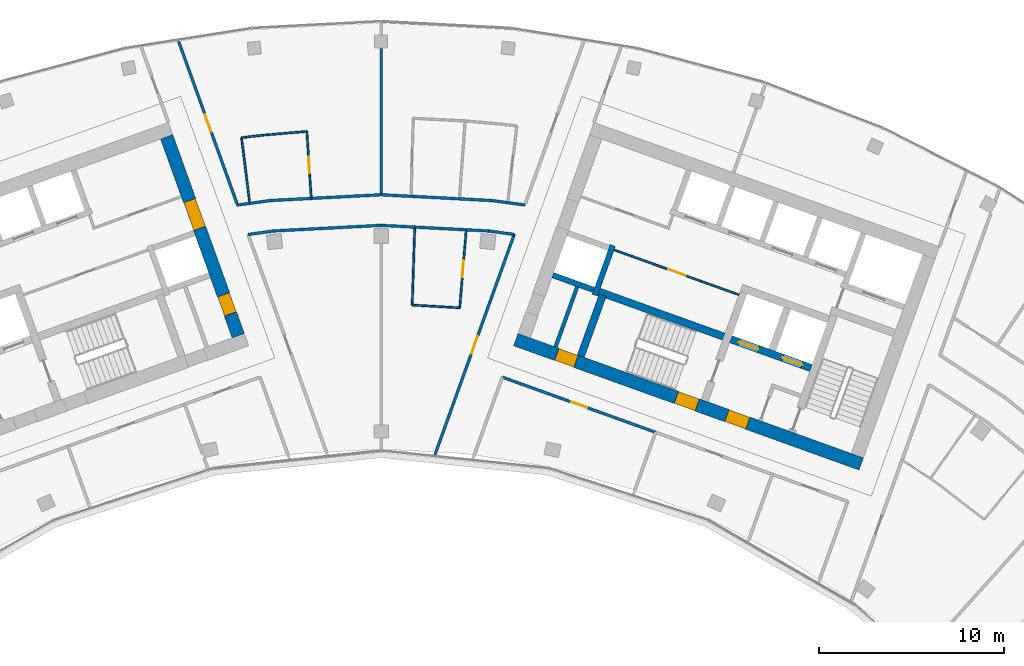
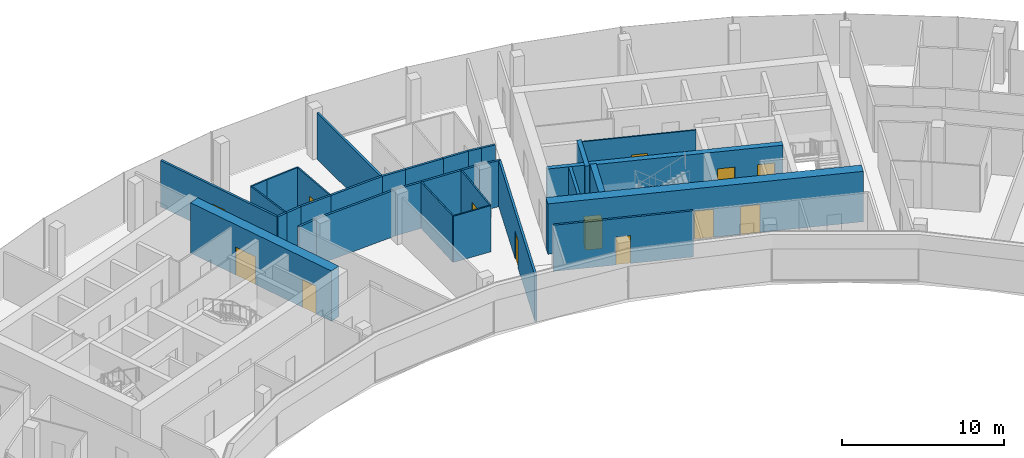
# One storey, part 14 of 18: 34 walls, 13 doors, 13 openings.
"""IFC4 building model written with IfcOpenShell, lengths in metres."""

from ifc_helpers import new_model, si_unit, direction, frame, frame_2d, origin, place, context, subcontext, project, spatial, rectangle, extrude, material, layer, layer_set, type_object, element, fill, save


model = new_model("IFC4")

# Units and contexts
model_context = context("Model", 3, precision=1e-05, world=origin(), true_north=direction((0.0, 1.0)))
body_context = subcontext(model_context, "Body", "Model", "MODEL_VIEW")
ifc_project = project(units=[si_unit("LENGTHUNIT", "METRE"), si_unit("AREAUNIT", "SQUARE_METRE"), si_unit("VOLUMEUNIT", "CUBIC_METRE"), si_unit("PLANEANGLEUNIT", "RADIAN"), si_unit("MASSUNIT", "GRAM", prefix="KILO")], contexts=[model_context])

# Site, building, storey
site_placement = place(None, origin())
site = spatial("IfcSite", under=ifc_project, at=site_placement, CompositionType="ELEMENT")
building_placement = place(site_placement, origin())
building = spatial("IfcBuilding", under=site, at=building_placement, Name="Stone Belt Terrace Tower", CompositionType="ELEMENT")
storey_placement = place(building_placement, frame((0.0, 0.0, 273.199951171875)))
storey = spatial("IfcBuildingStorey", under=building, at=storey_placement, Name="L66", CompositionType="ELEMENT", Elevation=273.199951171875)

# Wall, opening, door
ifc_material_1 = material(Name="Plasterboard partition")
ifc_layer_1 = layer(ifc_material_1, 0.10009765625)
ifc_layer_set_1 = layer_set([ifc_layer_1], Name="Core partition 100")
wall_type_1 = type_object("IfcWallType", Name="Core partition 100", PredefinedType="PARTITIONING", material=ifc_layer_set_1)
wall_1_placement = place(storey_placement, frame((19.29052734375, 51.829833984375, 0.0), z_axis=(0.0, 0.0, 1.0), x_axis=(-0.94092179465, 0.338623945331, 0.0)))
wall_1 = element("IfcWall", 1, at=wall_1_placement, inside=storey, type_object=wall_type_1, Name="Core B wall", PredefinedType="PARTITIONING", context=body_context, shape_type="SweptSolid", body=[
    extrude(rectangle(XDim=7.14990234375, YDim=0.10009765625, at=frame_2d((3.574951171875, 0.0))), origin(), (0.0, 0.0, 1.0), 3.47998046875),
])
opening_1_placement = place(wall_1_placement, frame((3.050048828125, 0.0, 0.0)))
opening_1 = element("IfcOpeningElement", 2, at=opening_1_placement, cuts=wall_1, Name="Opening L66-C13", PredefinedType="OPENING", context=body_context, shape_type="SweptSolid", body=[
    extrude(rectangle(XDim=1.0, YDim=2.10009765625, at=frame_2d((0.5, 1.050048828125))), frame((0.0, 0.06005859375, 0.0), z_axis=(0.0, -1.0, 0.0), x_axis=(1.0, 0.0, 0.0)), (0.0, 0.0, 1.0), 0.1201171875),
])
ifc_material_2 = material(Name="Timber door leaf", Category="wood")
door_type_1 = type_object("IfcDoorType", Name="Core room door 1000", OperationType="SINGLE_SWING_LEFT", PredefinedType="DOOR", material=ifc_material_2)
door_1_placement = place(opening_1_placement, origin())
door_1 = element("IfcDoor", 3, at=door_1_placement, inside=storey, type_object=door_type_1, Name="Door to Pantry core B", OperationType="SINGLE_SWING_RIGHT", OverallHeight=2.10009765625, OverallWidth=1.0, PredefinedType="DOOR", context=body_context, shape_type="SweptSolid", body=[
    extrude(rectangle(XDim=1.0, YDim=2.10009765625, at=frame_2d((0.5, 1.050048828125))), frame((0.0, 0.02490234375, 0.0), z_axis=(0.0, -1.0, 0.0), x_axis=(1.0, 0.0, 0.0)), (0.0, 0.0, 1.0), 0.050048828125),
])
fill(opening_1, door_1)

# Wall, openings, doors
ifc_material_3 = material(Name="Concrete B60", Category="concrete")
ifc_layer_2 = layer(ifc_material_3, 0.699951171875)
ifc_layer_set_2 = layer_set([ifc_layer_2], Name="Core wall 700 B60")
wall_type_2 = type_object("IfcWallType", Name="Core wall 700 B60", PredefinedType="SHEAR", material=ifc_layer_set_2)
wall_2_placement = place(storey_placement, frame((-7.70849609375, 49.621337890625, 0.0), z_axis=(0.0, 0.0, 1.0), x_axis=(-0.338606471282, 0.940928083121, 0.0)))
wall_2 = element("IfcWall", 4, at=wall_2_placement, inside=storey, type_object=wall_type_2, Name="Core A wall end_b L66", PredefinedType="SHEAR", context=body_context, shape_type="SweptSolid", body=[
    extrude(rectangle(XDim=11.39990234375, YDim=0.699951171875, at=frame_2d((5.699951171875, 0.0))), origin(), (0.0, 0.0, 1.0), 3.800048828125),
])
opening_2_placement = place(wall_2_placement, frame((6.14990234375, 0.0, 0.0)))
opening_2 = element("IfcOpeningElement", 5, at=opening_2_placement, cuts=wall_2, Name="Opening L66-C04", PredefinedType="OPENING", context=body_context, shape_type="SweptSolid", body=[
    extrude(rectangle(XDim=1.60009765625, YDim=2.10009765625, at=frame_2d((0.800048828125, 1.050048828125))), frame((0.0, 0.35986328125, 0.0), z_axis=(0.0, -1.0, 0.0), x_axis=(1.0, 0.0, 0.0)), (0.0, 0.0, 1.0), 0.719970703125),
])
opening_3_placement = place(wall_2_placement, frame((1.25, 0.0, 0.0)))
opening_3 = element("IfcOpeningElement", 6, at=opening_3_placement, cuts=wall_2, Name="Opening L66-C10", PredefinedType="OPENING", context=body_context, shape_type="SweptSolid", body=[
    extrude(rectangle(XDim=1.10009765625, YDim=2.10009765625, at=frame_2d((0.550048828125, 1.050048828125))), frame((0.0, 0.35986328125, 0.0), z_axis=(0.0, -1.0, 0.0), x_axis=(1.0, 0.0, 0.0)), (0.0, 0.0, 1.0), 0.719970703125),
])
door_type_2 = type_object("IfcDoorType", Name="Core room door 1100", OperationType="SINGLE_SWING_LEFT", PredefinedType="DOOR", material=ifc_material_2)
door_2_placement = place(opening_3_placement, origin())
door_2 = element("IfcDoor", 7, at=door_2_placement, inside=storey, type_object=door_type_2, Name="Door to Cleaner's store core A", OperationType="SINGLE_SWING_RIGHT", OverallHeight=2.10009765625, OverallWidth=1.10009765625, PredefinedType="DOOR", context=body_context, shape_type="SweptSolid", body=[
    extrude(rectangle(XDim=1.10009765625, YDim=2.10009765625, at=frame_2d((0.550048828125, 1.050048828125))), frame((0.0, 0.330078125, 0.0), z_axis=(0.0, -1.0, 0.0), x_axis=(1.0, 0.0, 0.0)), (0.0, 0.0, 1.0), 0.659912109375),
])
fill(opening_3, door_2)
ifc_material_4 = material(Name="Glazed aluminium door leaf", Category="aluminium")
door_type_3 = type_object("IfcDoorType", Name="Lift lobby entrance door 1600", OperationType="DOUBLE_DOOR_SINGLE_SWING", PredefinedType="DOOR", material=ifc_material_4)
door_3_placement = place(opening_2_placement, origin())
door_3 = element("IfcDoor", 8, at=door_3_placement, inside=storey, type_object=door_type_3, Name="Lift lobby entrance door core A", OperationType="DOUBLE_DOOR_SINGLE_SWING", OverallHeight=2.10009765625, OverallWidth=1.60009765625, PredefinedType="DOOR", context=body_context, shape_type="SweptSolid", body=[
    extrude(rectangle(XDim=1.60009765625, YDim=2.10009765625, at=frame_2d((0.800048828125, 1.050048828125))), frame((0.0, 0.330078125, 0.0), z_axis=(0.0, -1.0, 0.0), x_axis=(1.0, 0.0, 0.0)), (0.0, 0.0, 1.0), 0.659912109375),
])
fill(opening_2, door_3)

wall_3_placement = place(storey_placement, frame((7.260498046875, 49.410400390625, 0.0), z_axis=(0.0, 0.0, 1.0), x_axis=(0.940925130461, -0.338614676094, 0.0)))
wall_3 = element("IfcWall", 9, at=wall_3_placement, inside=storey, type_object=wall_type_2, Name="Core B wall concave L66", PredefinedType="SHEAR", context=body_context, shape_type="SweptSolid", body=[
    extrude(rectangle(XDim=19.800048828125, YDim=0.699951171875, at=frame_2d((9.89990234375, 0.0))), origin(), (0.0, 0.0, 1.0), 3.800048828125),
])
opening_4_placement = place(wall_3_placement, frame((12.10009765625, 0.0, 0.0)))
opening_4 = element("IfcOpeningElement", 10, at=opening_4_placement, cuts=wall_3, Name="Opening L66-C18", PredefinedType="OPENING", context=body_context, shape_type="SweptSolid", body=[
    extrude(rectangle(XDim=1.199951171875, YDim=2.10009765625, at=frame_2d((0.60009765625, 1.050048828125))), frame((0.0, 0.35986328125, 0.0), z_axis=(0.0, -1.0, 0.0), x_axis=(1.0, 0.0, 0.0)), (0.0, 0.0, 1.0), 0.719970703125),
])
opening_5_placement = place(wall_3_placement, frame((9.2001953125, 0.0, 0.0)))
opening_5 = element("IfcOpeningElement", 11, at=opening_5_placement, cuts=wall_3, Name="Opening L66-C20", PredefinedType="OPENING", context=body_context, shape_type="SweptSolid", body=[
    extrude(rectangle(XDim=1.199951171875, YDim=2.10009765625, at=frame_2d((0.60009765625, 1.050048828125))), frame((0.0, 0.35986328125, 0.0), z_axis=(0.0, -1.0, 0.0), x_axis=(1.0, 0.0, 0.0)), (0.0, 0.0, 1.0), 0.719970703125),
])
opening_6_placement = place(wall_3_placement, frame((2.35009765625, 0.0, 0.0)))
opening_6 = element("IfcOpeningElement", 12, at=opening_6_placement, cuts=wall_3, Name="Opening L66-C22", PredefinedType="OPENING", context=body_context, shape_type="SweptSolid", body=[
    extrude(rectangle(XDim=1.10009765625, YDim=2.10009765625, at=frame_2d((0.550048828125, 1.050048828125))), frame((0.0, 0.35986328125, 0.0), z_axis=(0.0, -1.0, 0.0), x_axis=(1.0, 0.0, 0.0)), (0.0, 0.0, 1.0), 0.719970703125),
])
door_4_placement = place(opening_6_placement, origin())
door_4 = element("IfcDoor", 13, at=door_4_placement, inside=storey, type_object=door_type_2, Name="Door to Communications riser room core B", OperationType="SINGLE_SWING_RIGHT", OverallHeight=2.10009765625, OverallWidth=1.10009765625, PredefinedType="DOOR", context=body_context, shape_type="SweptSolid", body=[
    extrude(rectangle(XDim=1.10009765625, YDim=2.10009765625, at=frame_2d((0.550048828125, 1.050048828125))), frame((0.0, 0.330078125, 0.0), z_axis=(0.0, -1.0, 0.0), x_axis=(1.0, 0.0, 0.0)), (0.0, 0.0, 1.0), 0.659912109375),
])
fill(opening_6, door_4)
ifc_material_5 = material(Name="Steel door leaf", Category="steel")
door_type_4 = type_object("IfcDoorType", Name="Fire-fighting lobby door 1200", OperationType="SINGLE_SWING_LEFT", PredefinedType="DOOR", material=ifc_material_5)
door_5_placement = place(opening_4_placement, origin())
door_5 = element("IfcDoor", 14, at=door_5_placement, inside=storey, type_object=door_type_4, Name="Fire-fighting lobby door core B", OperationType="SINGLE_SWING_RIGHT", OverallHeight=2.10009765625, OverallWidth=1.199951171875, PredefinedType="DOOR", context=body_context, shape_type="SweptSolid", body=[
    extrude(rectangle(XDim=1.199951171875, YDim=2.10009765625, at=frame_2d((0.60009765625, 1.050048828125))), frame((0.0, 0.330078125, 0.0), z_axis=(0.0, -1.0, 0.0), x_axis=(1.0, 0.0, 0.0)), (0.0, 0.0, 1.0), 0.659912109375),
])
fill(opening_4, door_5)
door_type_5 = type_object("IfcDoorType", Name="Stair door 1200", OperationType="SINGLE_SWING_LEFT", PredefinedType="DOOR", material=ifc_material_5)
door_6_placement = place(opening_5_placement, origin())
door_6 = element("IfcDoor", 15, at=door_6_placement, inside=storey, type_object=door_type_5, Name="Stair 2 exit door core B", OperationType="SINGLE_SWING_LEFT", OverallHeight=2.10009765625, OverallWidth=1.199951171875, PredefinedType="DOOR", context=body_context, shape_type="SweptSolid", body=[
    extrude(rectangle(XDim=1.199951171875, YDim=2.10009765625, at=frame_2d((0.60009765625, 1.050048828125))), frame((0.0, 0.330078125, 0.0), z_axis=(0.0, -1.0, 0.0), x_axis=(1.0, 0.0, 0.0)), (0.0, 0.0, 1.0), 0.659912109375),
])
fill(opening_5, door_6)

# Walls
ifc_material_6 = material(Name="Concrete B80", Category="concrete")
ifc_layer_3 = layer(ifc_material_6, 0.300048828125)
ifc_layer_set_3 = layer_set([ifc_layer_3], Name="Lift shaft wall 300")
wall_type_3 = type_object("IfcWallType", Name="Lift shaft wall 300", PredefinedType="SHEAR", material=ifc_layer_set_3)
wall_4_placement = place(storey_placement, frame((11.5244140625, 51.808349609375, 0.0), z_axis=(0.0, 0.0, 1.0), x_axis=(0.338625431531, 0.940921259788, 0.0)))
element("IfcWall", 16, at=wall_4_placement, inside=storey, type_object=wall_type_3, Name="Core B wall", PredefinedType="SHEAR", context=body_context, shape_type="SweptSolid", body=[
    extrude(rectangle(XDim=2.85009765625, YDim=0.300048828125, at=frame_2d((1.425048828125, 0.0))), origin(), (0.0, 0.0, 1.0), 3.47998046875),
])
wall_5_placement = place(storey_placement, frame((11.468017578125, 52.09423828125, 0.0), z_axis=(0.0, 0.0, 1.0), x_axis=(-0.940904627055, 0.338671644496, 0.0)))
element("IfcWall", 17, at=wall_5_placement, inside=storey, type_object=wall_type_3, Name="Core B wall", PredefinedType="SHEAR", context=body_context, shape_type="SweptSolid", body=[
    extrude(rectangle(XDim=2.35009765625, YDim=0.300048828125, at=frame_2d((1.175048828125, 0.0))), origin(), (0.0, 0.0, 1.0), 3.47998046875),
])
ifc_material_7 = material(Name="Gypsum board partition")
ifc_layer_4 = layer(ifc_material_7, 0.10009765625)
ifc_layer_set_4 = layer_set([ifc_layer_4], Name="PARTITION 100")
wall_type_4 = type_object("IfcWallType", Name="PARTITION 100", PredefinedType="PARTITIONING", material=ifc_layer_set_4)
wall_6_placement = place(storey_placement, frame((1.81103515625, 55.47998046875, 0.0), z_axis=(0.0, 0.0, 1.0), x_axis=(-0.032793038471, -0.99946216368, 0.0)))
element("IfcWall", 18, at=wall_6_placement, inside=storey, type_object=wall_type_4, Name="L66/wall/i103", PredefinedType="PARTITIONING", context=body_context, shape_type="SweptSolid", body=[
    extrude(rectangle(XDim=4.206298828125, YDim=0.10009765625, at=frame_2d((2.10302734375, 0.0))), origin(), (0.0, 0.0, 1.0), 3.47998046875),
])
wall_7_placement = place(storey_placement, frame((1.673095703125, 51.27587890625, 0.0), z_axis=(0.0, 0.0, 1.0), x_axis=(0.998340572085, -0.057585606956, 0.0)))
element("IfcWall", 19, at=wall_7_placement, inside=storey, type_object=wall_type_4, Name="L66/wall/i104", PredefinedType="PARTITIONING", context=body_context, shape_type="SweptSolid", body=[
    extrude(rectangle(XDim=2.569091796875, YDim=0.10009765625, at=frame_2d((1.28466796875, 0.0))), origin(), (0.0, 0.0, 1.0), 3.47998046875),
])

# Wall, opening, door
wall_8_placement = place(storey_placement, frame((4.238037109375, 51.1279296875, 0.0), z_axis=(0.0, 0.0, 1.0), x_axis=(0.082413674848, 0.996598207001, 0.0)))
wall_8 = element("IfcWall", 20, at=wall_8_placement, inside=storey, type_object=wall_type_4, Name="L66/wall/i105", PredefinedType="PARTITIONING", context=body_context, shape_type="SweptSolid", body=[
    extrude(rectangle(XDim=4.221435546875, YDim=0.10009765625, at=frame_2d((2.11083984375, 0.0))), origin(), (0.0, 0.0, 1.0), 3.47998046875),
])
opening_7_placement = place(wall_8_placement, frame((1.66064453125, 0.0, 0.0)))
opening_7 = element("IfcOpeningElement", 21, at=opening_7_placement, cuts=wall_8, Name="Opening D-E2-28", PredefinedType="OPENING", context=body_context, shape_type="SweptSolid", body=[
    extrude(rectangle(XDim=0.89990234375, YDim=2.10009765625, at=frame_2d((0.449951171875, 1.050048828125))), frame((0.0, 0.06005859375, 0.0), z_axis=(0.0, -1.0, 0.0), x_axis=(1.0, 0.0, 0.0)), (0.0, 0.0, 1.0), 0.1201171875),
])
door_type_6 = type_object("IfcDoorType", Name="OFFICE DOOR 900 X 2100", OperationType="NOTDEFINED", PredefinedType="DOOR", material=ifc_material_2)
door_7_placement = place(opening_7_placement, origin())
door_7 = element("IfcDoor", 22, at=door_7_placement, inside=storey, type_object=door_type_6, Name="L66/door/i28", OperationType="SINGLE_SWING_RIGHT", OverallHeight=2.10009765625, OverallWidth=0.89990234375, PredefinedType="DOOR", context=body_context, shape_type="SweptSolid", body=[
    extrude(rectangle(XDim=0.89990234375, YDim=2.10009765625, at=frame_2d((0.449951171875, 1.050048828125))), frame((0.0, 0.02490234375, 0.0), z_axis=(0.0, -1.0, 0.0), x_axis=(1.0, 0.0, 0.0)), (0.0, 0.0, 1.0), 0.050048828125),
])
fill(opening_7, door_7)

wall_9_placement = place(storey_placement, frame((-3.77001953125, 57.028076171875, 0.0), z_axis=(0.0, 0.0, 1.0), x_axis=(-0.066008841027, 0.997819038156, 0.0)))
wall_9 = element("IfcWall", 23, at=wall_9_placement, inside=storey, type_object=wall_type_4, Name="L66/wall/i106", PredefinedType="PARTITIONING", context=body_context, shape_type="SweptSolid", body=[
    extrude(rectangle(XDim=3.620849609375, YDim=0.10009765625, at=frame_2d((1.810546875, 0.0))), origin(), (0.0, 0.0, 1.0), 3.47998046875),
])
opening_8_placement = place(wall_9_placement, frame((1.3603515625, 0.0, 0.0)))
opening_8 = element("IfcOpeningElement", 24, at=opening_8_placement, cuts=wall_9, Name="Opening D-E2-30", PredefinedType="OPENING", context=body_context, shape_type="SweptSolid", body=[
    extrude(rectangle(XDim=0.89990234375, YDim=2.10009765625, at=frame_2d((0.449951171875, 1.050048828125))), frame((0.0, 0.06005859375, 0.0), z_axis=(0.0, -1.0, 0.0), x_axis=(1.0, 0.0, 0.0)), (0.0, 0.0, 1.0), 0.1201171875),
])
door_8_placement = place(opening_8_placement, origin())
door_8 = element("IfcDoor", 25, at=door_8_placement, inside=storey, type_object=door_type_6, Name="L66/door/i30", OperationType="SINGLE_SWING_RIGHT", OverallHeight=2.10009765625, OverallWidth=0.89990234375, PredefinedType="DOOR", context=body_context, shape_type="SweptSolid", body=[
    extrude(rectangle(XDim=0.89990234375, YDim=2.10009765625, at=frame_2d((0.449951171875, 1.050048828125))), frame((0.0, 0.02490234375, 0.0), z_axis=(0.0, -1.0, 0.0), x_axis=(1.0, 0.0, 0.0)), (0.0, 0.0, 1.0), 0.050048828125),
])
fill(opening_8, door_8)

# Walls
wall_10_placement = place(storey_placement, frame((-4.009033203125, 60.64111328125, 0.0), z_axis=(0.0, 0.0, 1.0), x_axis=(-0.996337308446, -0.085510045012, 0.0)))
element("IfcWall", 26, at=wall_10_placement, inside=storey, type_object=wall_type_4, Name="L66/wall/i107", PredefinedType="PARTITIONING", context=body_context, shape_type="SweptSolid", body=[
    extrude(rectangle(XDim=2.3525390625, YDim=0.10009765625, at=frame_2d((1.17626953125, 0.0))), origin(), (0.0, 0.0, 1.0), 3.47998046875),
])
wall_11_placement = place(storey_placement, frame((-6.35302734375, 60.43994140625, 0.0), z_axis=(0.0, 0.0, 1.0), x_axis=(-0.993496119058, -0.11386598007, 0.0)))
element("IfcWall", 27, at=wall_11_placement, inside=storey, type_object=wall_type_4, Name="L66/wall/i108", PredefinedType="PARTITIONING", context=body_context, shape_type="SweptSolid", body=[
    extrude(rectangle(XDim=1.185791015625, YDim=0.10009765625, at=frame_2d((0.5927734375, 0.0))), origin(), (0.0, 0.0, 1.0), 3.47998046875),
])
wall_12_placement = place(storey_placement, frame((-7.531005859375, 60.304931640625, 0.0), z_axis=(0.0, 0.0, 1.0), x_axis=(0.124034734589, -0.992277876714, 0.0)))
element("IfcWall", 28, at=wall_12_placement, inside=storey, type_object=wall_type_4, Name="L66/wall/i109", PredefinedType="PARTITIONING", context=body_context, shape_type="SweptSolid", body=[
    extrude(rectangle(XDim=3.572509765625, YDim=0.10009765625, at=frame_2d((1.7861328125, 0.0))), origin(), (0.0, 0.0, 1.0), 3.47998046875),
])

# Wall, opening, door
ifc_layer_5 = layer(ifc_material_7, 0.14990234375)
ifc_layer_set_5 = layer_set([ifc_layer_5], Name="PARTITION 150 EI 60")
wall_type_5 = type_object("IfcWallType", Name="PARTITION 150 EI 60", PredefinedType="PARTITIONING", material=ifc_layer_set_5)
wall_13_placement = place(storey_placement, frame((-10.9267578125, 65.504150390625, 0.0), z_axis=(0.0, 0.0, 1.0), x_axis=(0.338644933311, -0.94091424112, 0.0)))
wall_13 = element("IfcWall", 29, at=wall_13_placement, inside=storey, type_object=wall_type_5, Name="L66/wall/i010", PredefinedType="PARTITIONING", context=body_context, shape_type="SweptSolid", body=[
    extrude(rectangle(XDim=9.395263671875, YDim=0.14990234375, at=frame_2d((4.69775390625, 0.0))), origin(), (0.0, 0.0, 1.0), 3.47998046875),
])
opening_9_placement = place(wall_13_placement, frame((4.19775390625, 0.0, 0.0)))
opening_9 = element("IfcOpeningElement", 30, at=opening_9_placement, cuts=wall_13, Name="Opening D-E2-29", PredefinedType="OPENING", context=body_context, shape_type="SweptSolid", body=[
    extrude(rectangle(XDim=1.0, YDim=2.10009765625, at=frame_2d((0.5, 1.050048828125))), frame((0.0, 0.0849609375, 0.0), z_axis=(0.0, -1.0, 0.0), x_axis=(1.0, 0.0, 0.0)), (0.0, 0.0, 1.0), 0.169921875),
])
ifc_material_8 = material(Name="Timber fire door leaf", Category="wood")
door_type_7 = type_object("IfcDoorType", Name="TENANCY ENTRANCE DOOR 1000 X 2100", OperationType="NOTDEFINED", PredefinedType="DOOR", material=ifc_material_8)
door_9_placement = place(opening_9_placement, origin())
door_9 = element("IfcDoor", 31, at=door_9_placement, inside=storey, type_object=door_type_7, Name="L66/door/i29", OperationType="SINGLE_SWING_RIGHT", OverallHeight=2.10009765625, OverallWidth=1.0, PredefinedType="DOOR", context=body_context, shape_type="SweptSolid", body=[
    extrude(rectangle(XDim=1.0, YDim=2.10009765625, at=frame_2d((0.5, 1.050048828125))), frame((0.0, 0.02490234375, 0.0), z_axis=(0.0, -1.0, 0.0), x_axis=(1.0, 0.0, 0.0)), (0.0, 0.0, 1.0), 0.050048828125),
])
fill(opening_9, door_9)

wall_14_placement = place(storey_placement, frame((2.89794921875, 43.1953125, 0.0), z_axis=(0.0, 0.0, 1.0), x_axis=(0.338597725617, 0.940931230328, 0.0)))
wall_14 = element("IfcWall", 32, at=wall_14_placement, inside=storey, type_object=wall_type_5, Name="L66/wall/i020", PredefinedType="PARTITIONING", context=body_context, shape_type="SweptSolid", body=[
    extrude(rectangle(XDim=12.640380859375, YDim=0.14990234375, at=frame_2d((6.3203125, 0.0))), origin(), (0.0, 0.0, 1.0), 3.47998046875),
])
opening_10_placement = place(wall_14_placement, frame((5.820068359375, 0.0, 0.0)))
opening_10 = element("IfcOpeningElement", 33, at=opening_10_placement, cuts=wall_14, Name="Opening D-E2-27", PredefinedType="OPENING", context=body_context, shape_type="SweptSolid", body=[
    extrude(rectangle(XDim=1.0, YDim=2.10009765625, at=frame_2d((0.5, 1.050048828125))), frame((0.0, 0.0849609375, 0.0), z_axis=(0.0, -1.0, 0.0), x_axis=(1.0, 0.0, 0.0)), (0.0, 0.0, 1.0), 0.169921875),
])
door_10_placement = place(opening_10_placement, origin())
door_10 = element("IfcDoor", 34, at=door_10_placement, inside=storey, type_object=door_type_7, Name="L66/door/i27", OperationType="SINGLE_SWING_LEFT", OverallHeight=2.10009765625, OverallWidth=1.0, PredefinedType="DOOR", context=body_context, shape_type="SweptSolid", body=[
    extrude(rectangle(XDim=1.0, YDim=2.10009765625, at=frame_2d((0.5, 1.050048828125))), frame((0.0, 0.02490234375, 0.0), z_axis=(0.0, -1.0, 0.0), x_axis=(1.0, 0.0, 0.0)), (0.0, 0.0, 1.0), 0.050048828125),
])
fill(opening_10, door_10)

wall_15_placement = place(storey_placement, frame((14.80908203125, 44.409912109375, 0.0), z_axis=(0.0, 0.0, 1.0), x_axis=(-0.940937293639, 0.338580875772, 0.0)))
wall_15 = element("IfcWall", 35, at=wall_15_placement, inside=storey, type_object=wall_type_5, Name="L66/wall/i030", PredefinedType="PARTITIONING", context=body_context, shape_type="SweptSolid", body=[
    extrude(rectangle(XDim=8.795654296875, YDim=0.14990234375, at=frame_2d((4.39794921875, 0.0))), origin(), (0.0, 0.0, 1.0), 3.47998046875),
])
opening_11_placement = place(wall_15_placement, frame((3.94775390625, 0.0, 0.0)))
opening_11 = element("IfcOpeningElement", 36, at=opening_11_placement, cuts=wall_15, Name="Opening D-E2-06", PredefinedType="OPENING", context=body_context, shape_type="SweptSolid", body=[
    extrude(rectangle(XDim=0.89990234375, YDim=2.10009765625, at=frame_2d((0.449951171875, 1.050048828125))), frame((0.0, 0.0849609375, 0.0), z_axis=(0.0, -1.0, 0.0), x_axis=(1.0, 0.0, 0.0)), (0.0, 0.0, 1.0), 0.169921875),
])
door_11_placement = place(opening_11_placement, origin())
door_11 = element("IfcDoor", 37, at=door_11_placement, inside=storey, type_object=door_type_6, Name="L66/door/i06", OperationType="SINGLE_SWING_RIGHT", OverallHeight=2.10009765625, OverallWidth=0.89990234375, PredefinedType="DOOR", context=body_context, shape_type="SweptSolid", body=[
    extrude(rectangle(XDim=0.89990234375, YDim=2.10009765625, at=frame_2d((0.449951171875, 1.050048828125))), frame((0.0, 0.02490234375, 0.0), z_axis=(0.0, -1.0, 0.0), x_axis=(1.0, 0.0, 0.0)), (0.0, 0.0, 1.0), 0.050048828125),
])
fill(opening_11, door_11)

# Walls
wall_16_placement = place(storey_placement, frame((0.0, 55.574951171875, 0.0), z_axis=(0.0, 0.0, 1.0), x_axis=(-0.998633897938, -0.052252635241, 0.0)))
element("IfcWall", 38, at=wall_16_placement, inside=storey, type_object=wall_type_5, Name="L66/wall/i086", PredefinedType="PARTITIONING", context=body_context, shape_type="SweptSolid", body=[
    extrude(rectangle(XDim=5.817138671875, YDim=0.14990234375, at=frame_2d((2.90869140625, 0.0))), origin(), (0.0, 0.0, 1.0), 3.47998046875),
])
wall_17_placement = place(storey_placement, frame((-5.80908203125, 55.27099609375, 0.0), z_axis=(0.0, 0.0, 1.0), x_axis=(-0.990675556397, -0.136242217972, 0.0)))
element("IfcWall", 39, at=wall_17_placement, inside=storey, type_object=wall_type_5, Name="L66/wall/i087", PredefinedType="PARTITIONING", context=body_context, shape_type="SweptSolid", body=[
    extrude(rectangle(XDim=1.3798828125, YDim=0.14990234375, at=frame_2d((0.68994140625, 0.0))), origin(), (0.0, 0.0, 1.0), 3.47998046875),
])
wall_18_placement = place(storey_placement, frame((1.81689453125, 55.47998046875, 0.0), z_axis=(0.0, 0.0, 1.0), x_axis=(-0.998636669852, 0.052199632434, 0.0)))
element("IfcWall", 40, at=wall_18_placement, inside=storey, type_object=wall_type_5, Name="L66/wall/i088", PredefinedType="PARTITIONING", context=body_context, shape_type="SweptSolid", body=[
    extrude(rectangle(XDim=1.8193359375, YDim=0.14990234375, at=frame_2d((0.90966796875, 0.0))), origin(), (0.0, 0.0, 1.0), 3.47998046875),
])
wall_19_placement = place(storey_placement, frame((7.176025390625, 55.0830078125, 0.0), z_axis=(0.0, 0.0, 1.0), x_axis=(-0.990675556397, 0.136242217972, 0.0)))
element("IfcWall", 41, at=wall_19_placement, inside=storey, type_object=wall_type_5, Name="L66/wall/i089", PredefinedType="PARTITIONING", context=body_context, shape_type="SweptSolid", body=[
    extrude(rectangle(XDim=1.3798828125, YDim=0.14990234375, at=frame_2d((0.68994140625, 0.0))), origin(), (0.0, 0.0, 1.0), 3.47998046875),
])
wall_20_placement = place(storey_placement, frame((5.80908203125, 55.27099609375, 0.0), z_axis=(0.0, 0.0, 1.0), x_axis=(-0.998648347827, 0.051975738405, 0.0)))
element("IfcWall", 42, at=wall_20_placement, inside=storey, type_object=wall_type_5, Name="L66/wall/i090", PredefinedType="PARTITIONING", context=body_context, shape_type="SweptSolid", body=[
    extrude(rectangle(XDim=1.230712890625, YDim=0.14990234375, at=frame_2d((0.615234375, 0.0))), origin(), (0.0, 0.0, 1.0), 3.47998046875),
])
wall_21_placement = place(storey_placement, frame((4.592041015625, 55.3349609375, 0.0), z_axis=(0.0, 0.0, 1.0), x_axis=(-0.998630847524, 0.052310901088, 0.0)))
element("IfcWall", 43, at=wall_21_placement, inside=storey, type_object=wall_type_5, Name="L66/wall/i091", PredefinedType="PARTITIONING", context=body_context, shape_type="SweptSolid", body=[
    extrude(rectangle(XDim=2.791015625, YDim=0.14990234375, at=frame_2d((1.3955078125, 0.0))), origin(), (0.0, 0.0, 1.0), 3.47998046875),
])
wall_22_placement = place(storey_placement, frame((-7.7470703125, 56.669921875, 0.0), z_axis=(0.0, 0.0, 1.0), x_axis=(0.990754763364, 0.135665024499, 0.0)))
element("IfcWall", 44, at=wall_22_placement, inside=storey, type_object=wall_type_5, Name="L66/wall/i092", PredefinedType="PARTITIONING", context=body_context, shape_type="SweptSolid", body=[
    extrude(rectangle(XDim=0.671142578125, YDim=0.14990234375, at=frame_2d((0.33544921875, 0.0))), origin(), (0.0, 0.0, 1.0), 3.47998046875),
])
wall_23_placement = place(storey_placement, frame((-3.77587890625, 57.027099609375, 0.0), z_axis=(0.0, 0.0, 1.0), x_axis=(0.99862797763, 0.052365659502, 0.0)))
element("IfcWall", 45, at=wall_23_placement, inside=storey, type_object=wall_type_5, Name="L66/wall/i093", PredefinedType="PARTITIONING", context=body_context, shape_type="SweptSolid", body=[
    extrude(rectangle(XDim=3.781005859375, YDim=0.14990234375, at=frame_2d((1.890625, 0.0))), origin(), (0.0, 0.0, 1.0), 3.47998046875),
])
wall_24_placement = place(storey_placement, frame((-7.093994140625, 56.760009765625, 0.0), z_axis=(0.0, 0.0, 1.0), x_axis=(0.990775819949, 0.135511160445, 0.0)))
element("IfcWall", 46, at=wall_24_placement, inside=storey, type_object=wall_type_5, Name="L66/wall/i094", PredefinedType="PARTITIONING", context=body_context, shape_type="SweptSolid", body=[
    extrude(rectangle(XDim=1.122314453125, YDim=0.14990234375, at=frame_2d((0.56103515625, 0.0))), origin(), (0.0, 0.0, 1.0), 3.47998046875),
])
wall_25_placement = place(storey_placement, frame((-5.98193359375, 56.912109375, 0.0), z_axis=(0.0, 0.0, 1.0), x_axis=(0.998635988354, 0.052212668626, 0.0)))
element("IfcWall", 47, at=wall_25_placement, inside=storey, type_object=wall_type_5, Name="L66/wall/i095", PredefinedType="PARTITIONING", context=body_context, shape_type="SweptSolid", body=[
    extrude(rectangle(XDim=2.220947265625, YDim=0.14990234375, at=frame_2d((1.1103515625, 0.0))), origin(), (0.0, 0.0, 1.0), 3.47998046875),
])
wall_26_placement = place(storey_placement, frame((0.0, 57.22509765625, 0.0), z_axis=(0.0, 0.0, 1.0), x_axis=(0.998617829333, -0.052558833123, 0.0)))
element("IfcWall", 48, at=wall_26_placement, inside=storey, type_object=wall_type_5, Name="L66/wall/i096", PredefinedType="PARTITIONING", context=body_context, shape_type="SweptSolid", body=[
    extrude(rectangle(XDim=1.62109375, YDim=0.14990234375, at=frame_2d((0.810546875, 0.0))), origin(), (0.0, 0.0, 1.0), 3.47998046875),
])
wall_27_placement = place(storey_placement, frame((6.81591796875, 56.798095703125, 0.0), z_axis=(0.0, 0.0, 1.0), x_axis=(0.990658674146, -0.13636491975, 0.0)))
element("IfcWall", 49, at=wall_27_placement, inside=storey, type_object=wall_type_5, Name="L66/wall/i097", PredefinedType="PARTITIONING", context=body_context, shape_type="SweptSolid", body=[
    extrude(rectangle(XDim=0.93994140625, YDim=0.14990234375, at=frame_2d((0.469970703125, 0.0))), origin(), (0.0, 0.0, 1.0), 3.47998046875),
])
wall_28_placement = place(storey_placement, frame((1.60693359375, 57.14111328125, 0.0), z_axis=(0.0, 0.0, 1.0), x_axis=(0.998629637079, -0.052334003734, 0.0)))
element("IfcWall", 50, at=wall_28_placement, inside=storey, type_object=wall_type_5, Name="L66/wall/i098", PredefinedType="PARTITIONING", context=body_context, shape_type="SweptSolid", body=[
    extrude(rectangle(XDim=2.621826171875, YDim=0.14990234375, at=frame_2d((1.31103515625, 0.0))), origin(), (0.0, 0.0, 1.0), 3.47998046875),
])
wall_29_placement = place(storey_placement, frame((4.212890625, 57.0048828125, 0.0), z_axis=(0.0, 0.0, 1.0), x_axis=(0.998627710138, -0.052370760399, 0.0)))
element("IfcWall", 51, at=wall_29_placement, inside=storey, type_object=wall_type_5, Name="L66/wall/i099", PredefinedType="PARTITIONING", context=body_context, shape_type="SweptSolid", body=[
    extrude(rectangle(XDim=1.771484375, YDim=0.14990234375, at=frame_2d((0.8857421875, 0.0))), origin(), (0.0, 0.0, 1.0), 3.47998046875),
])
wall_30_placement = place(storey_placement, frame((5.98193359375, 56.912109375, 0.0), z_axis=(0.0, 0.0, 1.0), x_axis=(0.990695712671, -0.13609557265, 0.0)))
element("IfcWall", 52, at=wall_30_placement, inside=storey, type_object=wall_type_5, Name="L66/wall/i100", PredefinedType="PARTITIONING", context=body_context, shape_type="SweptSolid", body=[
    extrude(rectangle(XDim=0.85400390625, YDim=0.14990234375, at=frame_2d((0.427001953125, 0.0))), origin(), (0.0, 0.0, 1.0), 3.47998046875),
])
wall_31_placement = place(storey_placement, frame((0.0, 65.10888671875, 0.0), z_axis=(0.0, 0.0, 1.0), x_axis=(0.0, -1.0, 0.0)))
element("IfcWall", 53, at=wall_31_placement, inside=storey, type_object=wall_type_5, Name="L66/wall/i111", PredefinedType="PARTITIONING", context=body_context, shape_type="SweptSolid", body=[
    extrude(rectangle(XDim=7.8837890625, YDim=0.14990234375, at=frame_2d((3.94189453125, 0.0))), origin(), (0.0, 0.0, 1.0), 3.47998046875),
])
ifc_material_9 = material(Name="Concrete masonry block", Category="masonry")
ifc_layer_6 = layer(ifc_material_9, 0.199951171875)
ifc_layer_set_6 = layer_set([ifc_layer_6], Name="Rated lobby wall 200")
wall_type_6 = type_object("IfcWallType", Name="Rated lobby wall 200", PredefinedType="PARTITIONING", material=ifc_layer_set_6)
wall_32_placement = place(storey_placement, frame((9.402099609375, 49.01171875, 0.0), z_axis=(0.0, 0.0, 1.0), x_axis=(0.338599189079, 0.940930703695, 0.0)))
element("IfcWall", 54, at=wall_32_placement, inside=storey, type_object=wall_type_6, Name="Core B wall", PredefinedType="PARTITIONING", context=body_context, shape_type="SweptSolid", body=[
    extrude(rectangle(XDim=3.4501953125, YDim=0.199951171875, at=frame_2d((1.72509765625, 0.0))), origin(), (0.0, 0.0, 1.0), 3.47998046875),
])

# Wall, openings, doors
ifc_layer_7 = layer(ifc_material_6, 0.39990234375)
ifc_layer_set_7 = layer_set([ifc_layer_7], Name="Stair enclosure wall 400")
wall_type_7 = type_object("IfcWallType", Name="Stair enclosure wall 400", PredefinedType="SHEAR", material=ifc_layer_set_7)
wall_33_placement = place(storey_placement, frame((23.182373046875, 47.87841796875, 0.0), z_axis=(0.0, 0.0, 1.0), x_axis=(-0.940921731919, 0.338624119641, 0.0)))
wall_33 = element("IfcWall", 55, at=wall_33_placement, inside=storey, type_object=wall_type_7, Name="Core B wall", PredefinedType="SHEAR", context=body_context, shape_type="SweptSolid", body=[
    extrude(rectangle(XDim=12.14990234375, YDim=0.39990234375, at=frame_2d((6.074951171875, 0.0))), origin(), (0.0, 0.0, 1.0), 3.47998046875),
])
opening_12_placement = place(wall_33_placement, frame((0.52001953125, 0.0, 0.0)))
opening_12 = element("IfcOpeningElement", 56, at=opening_12_placement, cuts=wall_33, Name="Opening L66-LD12", PredefinedType="OPENING", context=body_context, shape_type="SweptSolid", body=[
    extrude(rectangle(XDim=1.10009765625, YDim=2.199951171875, at=frame_2d((0.550048828125, 1.10009765625))), frame((0.0, 0.2099609375, 0.0), z_axis=(0.0, -1.0, 0.0), x_axis=(1.0, 0.0, 0.0)), (0.0, 0.0, 1.0), 0.419921875),
])
opening_13_placement = place(wall_33_placement, frame((3.02001953125, 0.0, 0.0)))
opening_13 = element("IfcOpeningElement", 57, at=opening_13_placement, cuts=wall_33, Name="Opening L66-LD13", PredefinedType="OPENING", context=body_context, shape_type="SweptSolid", body=[
    extrude(rectangle(XDim=1.10009765625, YDim=2.199951171875, at=frame_2d((0.550048828125, 1.10009765625))), frame((0.0, 0.2099609375, 0.0), z_axis=(0.0, -1.0, 0.0), x_axis=(1.0, 0.0, 0.0)), (0.0, 0.0, 1.0), 0.419921875),
])
ifc_material_10 = material(Name="Stainless steel door leaf", Category="steel")
door_type_8 = type_object("IfcDoorType", Name="Landing door 1100", OperationType="SLIDING_TO_LEFT", PredefinedType="DOOR", material=ifc_material_10)
door_12_placement = place(opening_12_placement, origin())
door_12 = element("IfcDoor", 58, at=door_12_placement, inside=storey, type_object=door_type_8, Name="Landing door FF1 core B", OperationType="SLIDING_TO_LEFT", OverallHeight=2.199951171875, OverallWidth=1.10009765625, PredefinedType="DOOR", context=body_context, shape_type="SweptSolid", body=[
    extrude(rectangle(XDim=1.10009765625, YDim=2.199951171875, at=frame_2d((0.550048828125, 1.10009765625))), frame((0.0, 0.02490234375, 0.0), z_axis=(0.0, -1.0, 0.0), x_axis=(1.0, 0.0, 0.0)), (0.0, 0.0, 1.0), 0.050048828125),
])
fill(opening_12, door_12)
door_13_placement = place(opening_13_placement, origin())
door_13 = element("IfcDoor", 59, at=door_13_placement, inside=storey, type_object=door_type_8, Name="Landing door FF2 core B", OperationType="SLIDING_TO_LEFT", OverallHeight=2.199951171875, OverallWidth=1.10009765625, PredefinedType="DOOR", context=body_context, shape_type="SweptSolid", body=[
    extrude(rectangle(XDim=1.10009765625, YDim=2.199951171875, at=frame_2d((0.550048828125, 1.10009765625))), frame((0.0, 0.02490234375, 0.0), z_axis=(0.0, -1.0, 0.0), x_axis=(1.0, 0.0, 0.0)), (0.0, 0.0, 1.0), 0.050048828125),
])
fill(opening_13, door_13)

# Wall
wall_34_placement = place(storey_placement, frame((10.766357421875, 48.520751953125, 0.0), z_axis=(0.0, 0.0, 1.0), x_axis=(0.338655246459, 0.940910529246, 0.0)))
element("IfcWall", 60, at=wall_34_placement, inside=storey, type_object=wall_type_7, Name="Core B wall", PredefinedType="SHEAR", context=body_context, shape_type="SweptSolid", body=[
    extrude(rectangle(XDim=3.5, YDim=0.39990234375, at=frame_2d((1.75, 0.0))), origin(), (0.0, 0.0, 1.0), 3.47998046875),
])

save(model, "model.ifc")
